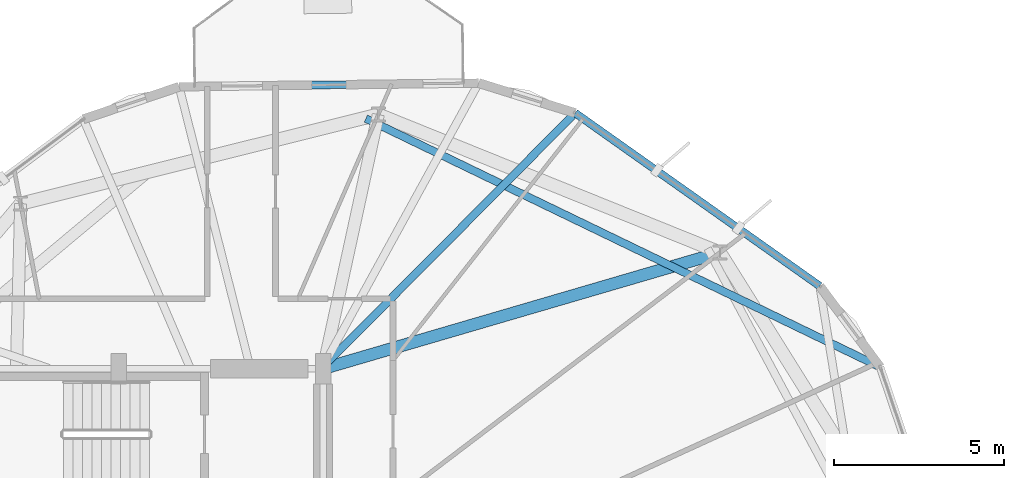
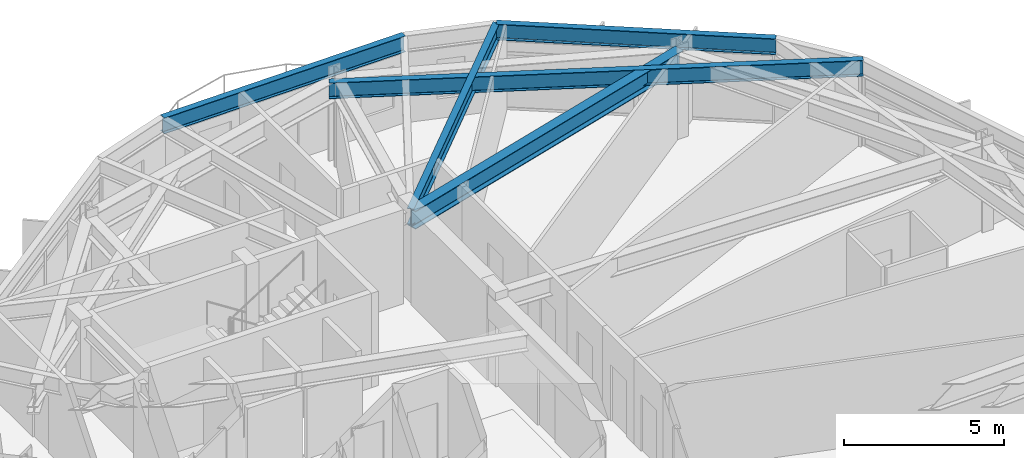
# One storey, part 17 of 27: 5 beams.
"""IFC4 building model written with IfcOpenShell, lengths in metres."""

from ifc_helpers import new_model, si_unit, direction, frame, origin, origin_2d, place, context, subcontext, project, spatial, i_section, extrude, material, material_profile, profile_set, type_object, element, save


model = new_model("IFC4")

# Units and contexts
model_context = context("Model", 3, precision=1e-05, world=origin(), true_north=direction((0.0, 1.0)))
body_context = subcontext(model_context, "Body", "Model", "MODEL_VIEW")
ifc_project = project(units=[si_unit("LENGTHUNIT", "METRE"), si_unit("AREAUNIT", "SQUARE_METRE"), si_unit("VOLUMEUNIT", "CUBIC_METRE"), si_unit("PLANEANGLEUNIT", "RADIAN"), si_unit("MASSUNIT", "GRAM", prefix="KILO")], contexts=[model_context])

# Site, building, storey
site_placement = place(None, origin())
site = spatial("IfcSite", under=ifc_project, at=site_placement, CompositionType="ELEMENT")
building_placement = place(site_placement, origin())
building = spatial("IfcBuilding", under=site, at=building_placement, Name="Soratama Intermodal Tower", CompositionType="ELEMENT")
storey_placement = place(building_placement, frame((0.0, 0.0, 167.800048828125)))
storey = spatial("IfcBuildingStorey", under=building, at=storey_placement, Name="L41", CompositionType="ELEMENT", Elevation=167.800048828125)

# Beams
ifc_material_1 = material(Name="Structural steel ASTM A992 Grade 50", Category="steel")
ifc_material_profile_1 = material_profile(ifc_material_1, i_section(OverallWidth=0.35498046875, OverallDepth=0.695068359375, WebThickness=0.015380859375, FlangeThickness=0.02490234375, FilletRadius=0.01611328125, at=origin_2d()), Name="W27X146")
ifc_profile_set_1 = profile_set([ifc_material_profile_1], Name="Structural steel ASTM A992 Grade 50")
beam_type_1 = type_object("IfcBeamType", Name="BM-RING-W27X146", PredefinedType="BEAM", material=ifc_profile_set_1)
beam_1_placement = place(storey_placement, frame((44.60009765625, 35.0, 2.952392578125), z_axis=(0.959813691047, 0.280637984738, 0.0), x_axis=(-0.280637984738, 0.959813691047, 0.0)))
element("IfcBeam", 1, at=beam_1_placement, inside=storey, type_object=beam_type_1, Name="BM-L41-RAD-02", PredefinedType="BEAM", context=body_context, shape_type="SweptSolid", body=[
    extrude(i_section(OverallWidth=0.35498046875, OverallDepth=0.695068359375, WebThickness=0.015380859375, FlangeThickness=0.02490234375, FilletRadius=0.01611328125, at=origin_2d()), origin(), (0.0, 0.0, 1.0), 12.13671875),
])
ifc_material_2 = material(Name="Structural steel ASTM A992 Grade 50", Category="steel")
ifc_material_profile_2 = material_profile(ifc_material_2, i_section(OverallWidth=0.22900390625, OverallDepth=0.612060546875, WebThickness=0.011962890625, FlangeThickness=0.01953125, FilletRadius=0.012939453125, at=origin_2d()), Name="W24X84")
ifc_profile_set_2 = profile_set([ifc_material_profile_2], Name="Structural steel ASTM A992 Grade 50")
beam_type_2 = type_object("IfcBeamType", Name="BM-SPN-W24X84", PredefinedType="SPANDREL", material=ifc_profile_set_2)
for number, where, z_axis, x_axis, name in (
    (2, (59.175048828125, 37.424072265625, 2.993896484375), (-0.816337080444, 0.577575770866, 0.0), (-0.577575770866, -0.816337080444, 0.0), "BS-L41-F01"),
    (3, (49.1650390625, 43.383056640625, 2.993896484375), (-0.999920174289, -0.012635072187, 0.0), (0.012635072187, -0.999920174289, 0.0), "BS-L41-F02"),
):
    element("IfcBeam", number, at=place(storey_placement, frame(where, z_axis=z_axis, x_axis=x_axis)), inside=storey, type_object=beam_type_2, Name=name, PredefinedType="SPANDREL", context=body_context, shape_type="SweptSolid", body=[
        extrude(i_section(OverallWidth=0.22900390625, OverallDepth=0.612060546875, WebThickness=0.011962890625, FlangeThickness=0.01953125, FilletRadius=0.012939453125, at=origin_2d()), origin(), (0.0, 0.0, 1.0), 8.791748046875),
    ])
ifc_material_3 = material(Name="Structural steel ASTM A992 Grade 50", Category="steel")
ifc_material_profile_3 = material_profile(ifc_material_3, i_section(OverallWidth=0.22900390625, OverallDepth=0.612060546875, WebThickness=0.011962890625, FlangeThickness=0.01953125, FilletRadius=0.012939453125, at=origin_2d()), Name="W24X84")
ifc_profile_set_3 = profile_set([ifc_material_profile_3], Name="Structural steel ASTM A992 Grade 50")
beam_type_3 = type_object("IfcBeamType", Name="BM-TIE-W24X84", PredefinedType="BEAM", material=ifc_profile_set_3)
beam_2_placement = place(storey_placement, frame((44.577880859375, 35.028076171875, 2.993896484375), z_axis=(0.704552229596, 0.709652137157, 0.0), x_axis=(-0.709652137157, 0.704552229596, 0.0)))
element("IfcBeam", 4, at=beam_2_placement, inside=storey, type_object=beam_type_3, Name="BM-L41-TIE1-01", PredefinedType="BEAM", context=body_context, shape_type="SweptSolid", body=[
    extrude(i_section(OverallWidth=0.22900390625, OverallDepth=0.612060546875, WebThickness=0.011962890625, FlangeThickness=0.01953125, FilletRadius=0.012939453125, at=origin_2d()), origin(), (0.0, 0.0, 1.0), 10.53173828125),
])
beam_3_placement = place(storey_placement, frame((45.85595703125, 42.340087890625, 2.993896484375), z_axis=(0.900366926811, -0.435131471059, 0.0), x_axis=(0.435131471059, 0.900366926811, 0.0)))
element("IfcBeam", 5, at=beam_3_placement, inside=storey, type_object=beam_type_3, Name="BM-L41-TIE1-10", PredefinedType="BEAM", context=body_context, shape_type="SweptSolid", body=[
    extrude(i_section(OverallWidth=0.22900390625, OverallDepth=0.612060546875, WebThickness=0.011962890625, FlangeThickness=0.01953125, FilletRadius=0.012939453125, at=origin_2d()), origin(), (0.0, 0.0, 1.0), 16.76318359375),
])

save(model, "model.ifc")
